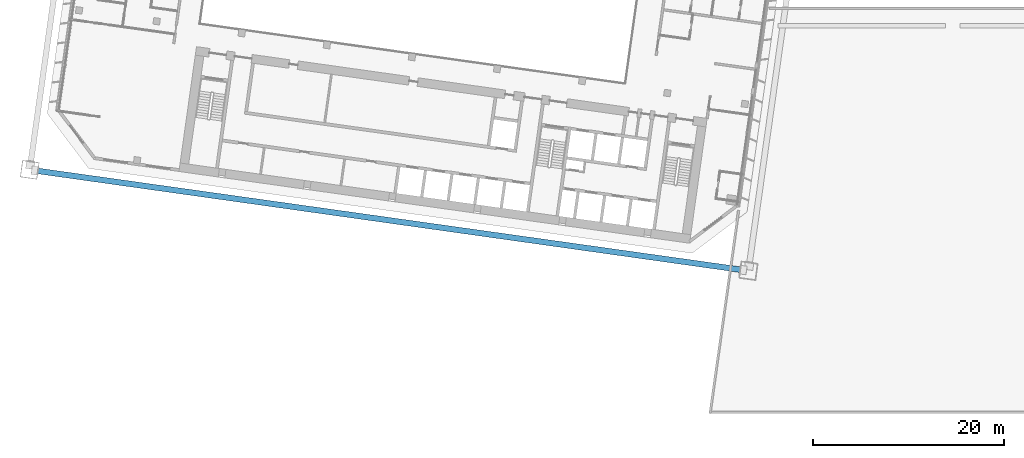
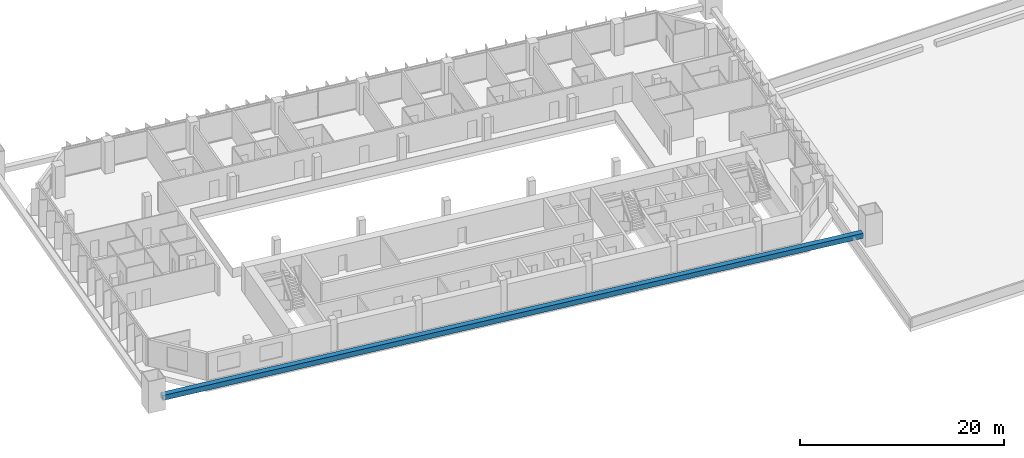
# One storey, part 3 of 46: 1 member.
"""IFC4 building model written with IfcOpenShell, lengths in metres."""

from ifc_helpers import new_model, si_unit, direction, frame, origin, origin_2d, place, context, subcontext, project, spatial, hollow_rectangle, extrude, material, material_profile, profile_set, type_object, element, save


model = new_model("IFC4")

# Units and contexts
model_context = context("Model", 3, precision=1e-05, world=origin(), true_north=direction((0.0, 1.0)))
body_context = subcontext(model_context, "Body", "Model", "MODEL_VIEW")
ifc_project = project(units=[si_unit("LENGTHUNIT", "METRE"), si_unit("AREAUNIT", "SQUARE_METRE"), si_unit("VOLUMEUNIT", "CUBIC_METRE"), si_unit("PLANEANGLEUNIT", "RADIAN"), si_unit("MASSUNIT", "GRAM", prefix="KILO")], contexts=[model_context])

# Site, building, storey
site_placement = place(None, origin())
site = spatial("IfcSite", under=ifc_project, at=site_placement, CompositionType="ELEMENT")
building_placement = place(site_placement, origin())
building = spatial("IfcBuilding", under=site, at=building_placement, Name="Mirante Cascada Hotel Towers", CompositionType="ELEMENT")
storey_placement = place(building_placement, frame((0.0, 0.0, 39.5)))
storey = spatial("IfcBuildingStorey", under=building, at=storey_placement, Name="L06", CompositionType="ELEMENT", Elevation=39.5)

# Member
ifc_material = material(Name="Steel ASTM A572 Gr 50", Category="steel")
ifc_material_profile = material_profile(ifc_material, hollow_rectangle(XDim=0.6, YDim=0.6, WallThickness=0.04, at=origin_2d()), Name="Box chord 600x600x40 ASTM A572 Gr 50")
ifc_profile_set = profile_set([ifc_material_profile], Name="Steel ASTM A572 Gr 50")
member_type = type_object("IfcMemberType", Name="Box chord 600x600x40 ASTM A572 Gr 50", PredefinedType="CHORD", material=ifc_profile_set)
member_placement = place(storey_placement, frame((-31.8135, -22.9515, 1.0), z_axis=(-0.9902681, 0.139173, 0.0), x_axis=(-0.139173, -0.9902681, 0.0)))
element("IfcMember", 1, at=member_placement, inside=storey, type_object=member_type, Name="exochord T1 L06 2", PredefinedType="CHORD", context=body_context, shape_type="SweptSolid", body=[
    extrude(hollow_rectangle(XDim=0.6, YDim=0.6, WallThickness=0.04, at=origin_2d()), origin(), (0.0, 0.0, 1.0), 74.24),
])

save(model, "model.ifc")
